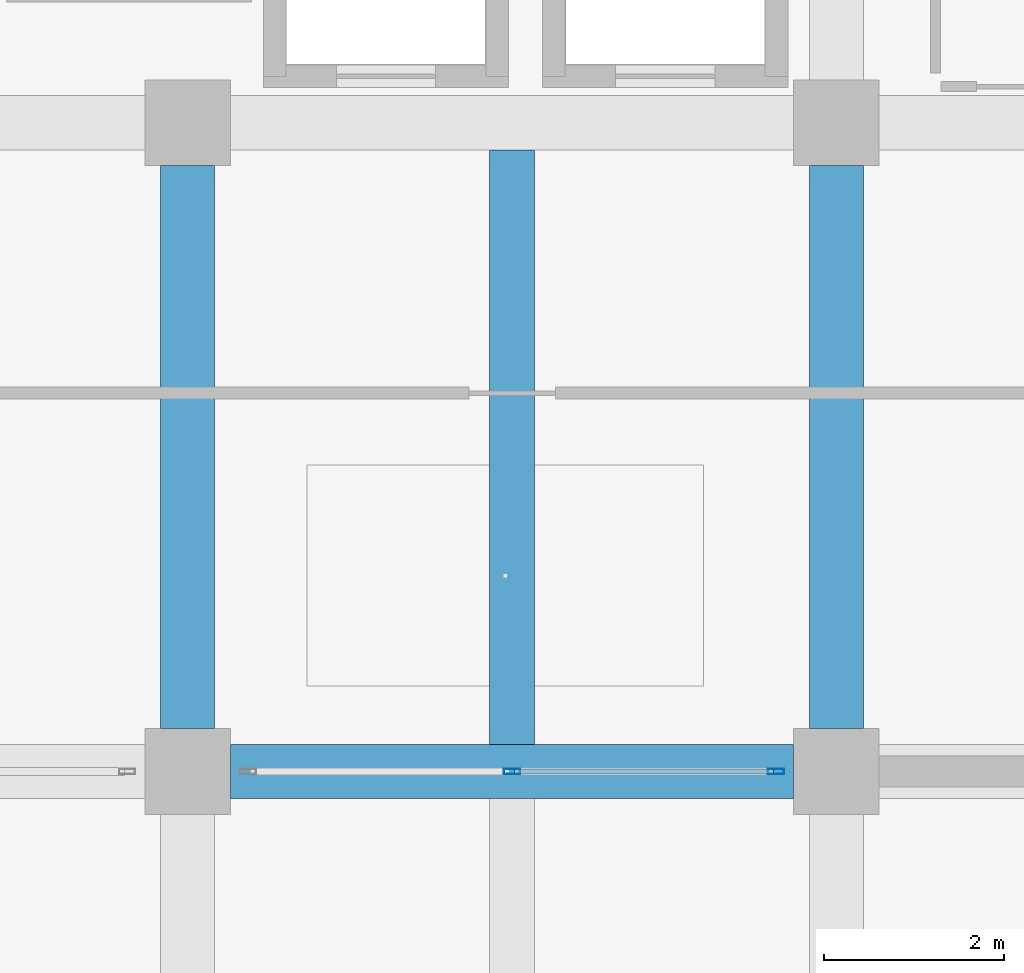
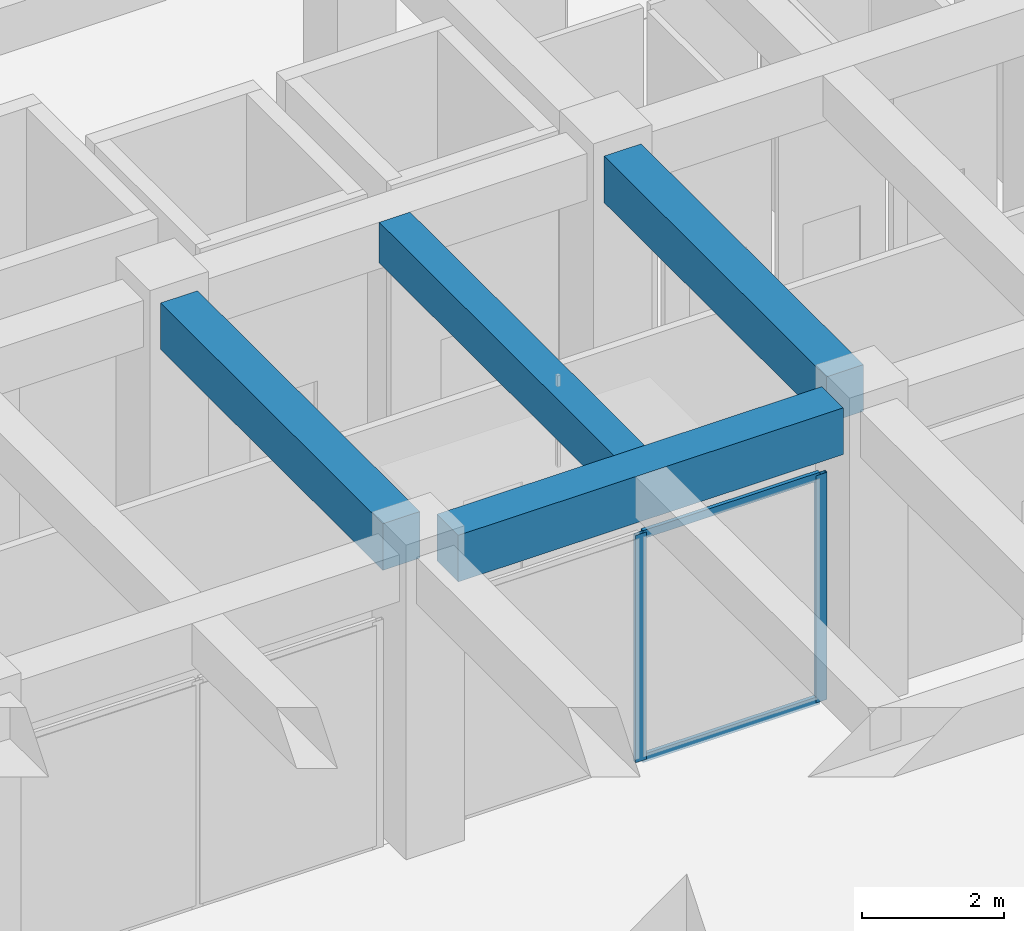
# One storey, part 10 of 56: 4 beams, 4 members, 1 element without a shape of its own.
"""IFC4 building model written with IfcOpenShell, lengths in metres."""

from ifc_helpers import new_model, si_unit, direction, frame, origin, origin_2d, place, context, subcontext, project, spatial, rectangle, hollow_rectangle, extrude, material, material_profile, profile_set, type_object, element, aggregate, save


model = new_model("IFC4")

# Units and contexts
model_context = context("Model", 3, precision=1e-05, world=origin(), true_north=direction((0.0, 1.0)))
body_context = subcontext(model_context, "Body", "Model", "MODEL_VIEW")
ifc_project = project(units=[si_unit("LENGTHUNIT", "METRE"), si_unit("AREAUNIT", "SQUARE_METRE"), si_unit("VOLUMEUNIT", "CUBIC_METRE"), si_unit("PLANEANGLEUNIT", "RADIAN"), si_unit("MASSUNIT", "GRAM", prefix="KILO")], contexts=[model_context])

# Site, building, storey
site_placement = place(None, origin())
site = spatial("IfcSite", under=ifc_project, at=site_placement, CompositionType="ELEMENT")
building_placement = place(site_placement, origin())
building = spatial("IfcBuilding", under=site, at=building_placement, Name="Kazehaya Institute of Natural Sciences", CompositionType="ELEMENT")
storey_placement = place(building_placement, origin())
storey = spatial("IfcBuildingStorey", under=building, at=storey_placement, Name="L00", CompositionType="ELEMENT", Elevation=0.0)

# Beams
ifc_material_1 = material(Name="Concrete Fc36", Category="concrete")
ifc_material_profile_1 = material_profile(ifc_material_1, rectangle(XDim=0.60009765625, YDim=0.800048828125, at=origin_2d()), Name="RC-600x800")
ifc_profile_set_1 = profile_set([ifc_material_profile_1], Name="Concrete Fc36")
beam_type_1 = type_object("IfcBeamType", Name="BM-G-600x800", PredefinedType="BEAM", material=ifc_profile_set_1)
for number, where, z_axis, x_axis, name in (
    (1, (76.675048828125, 14.0, 4.72998046875), (1.0, 0.0, 0.0), (0.0, 1.0, 0.0), "L00 primary X girder BMX-L00-762-140"),
    (2, (76.199951171875, 14.47509765625, 4.72998046875), (0.0, 1.0, 0.0), (-1.0, 0.0, 0.0), "L00 primary Y girder BMY-L00-762-140"),
    (3, (83.39990234375, 14.47509765625, 4.72998046875), (0.0, 1.0, 0.0), (-1.0, 0.0, 0.0), "L00 primary Y girder BMY-L00-834-140"),
):
    element("IfcBeam", number, at=place(storey_placement, frame(where, z_axis=z_axis, x_axis=x_axis)), inside=storey, type_object=beam_type_1, Name=name, PredefinedType="BEAM", context=body_context, shape_type="SweptSolid", body=[
        extrude(rectangle(XDim=0.60009765625, YDim=0.800048828125, at=origin_2d()), origin(), (0.0, 0.0, 1.0), 6.25),
    ])
ifc_material_profile_2 = material_profile(ifc_material_1, rectangle(XDim=0.5, YDim=0.699951171875, at=origin_2d()), Name="RC-500x700")
ifc_profile_set_2 = profile_set([ifc_material_profile_2], Name="Concrete Fc36")
beam_type_2 = type_object("IfcBeamType", Name="BM-J-500x700", PredefinedType="JOIST", material=ifc_profile_set_2)
beam_placement = place(storey_placement, frame((79.800048828125, 14.300048828125, 4.780029296875), z_axis=(0.0, 1.0, 0.0), x_axis=(-1.0, 0.0, 0.0)))
element("IfcBeam", 4, at=beam_placement, inside=storey, type_object=beam_type_2, Name="L00 secondary lab beam JST-L00-0014", PredefinedType="JOIST", context=body_context, shape_type="SweptSolid", body=[
    extrude(rectangle(XDim=0.5, YDim=0.699951171875, at=origin_2d()), origin(), (0.0, 0.0, 1.0), 6.599853515625),
])

# Curtain wall, members
ifc_material_2 = material(Name="Aluminium alloy A6063S-T5", Category="aluminium")
curtain_wall_type = type_object("IfcCurtainWallType", Name="CW-SYS-01", PredefinedType="NOTDEFINED", material=ifc_material_2)
curtain_wall_placement = place(storey_placement, origin())
curtain_wall = element("IfcCurtainWall", 5, at=curtain_wall_placement, inside=storey, type_object=curtain_wall_type, Name="L00 unitised curtain wall CW-L00-004", PredefinedType="NOTDEFINED")
ifc_material_profile_3 = material_profile(ifc_material_2, hollow_rectangle(XDim=0.06005859375, YDim=0.179931640625, WallThickness=0.00390625, at=origin_2d()), Name="ALU-60x180x4")
ifc_profile_set_3 = profile_set([ifc_material_profile_3], Name="Aluminium alloy A6063S-T5")
member_type_1 = type_object("IfcMemberType", Name="CWM-180", PredefinedType="MULLION", material=ifc_profile_set_3)
member_1_placement = place(storey_placement, frame((82.72998046875, 14.0, 0.0), z_axis=(0.0, 0.0, 1.0), x_axis=(0.0, -1.0, 0.0)))
member_1 = element("IfcMember", 6, at=member_1_placement, type_object=member_type_1, Name="CW01 mullion 1", PredefinedType="MULLION", context=body_context, shape_type="SweptSolid", body=[
    extrude(hollow_rectangle(XDim=0.06005859375, YDim=0.179931640625, WallThickness=0.00390625, at=origin_2d()), origin(), (0.0, 0.0, 1.0), 3.89990234375),
])
member_2_placement = place(storey_placement, frame((79.800048828125, 14.0, 0.0), z_axis=(0.0, 0.0, 1.0), x_axis=(0.0, -1.0, 0.0)))
member_2 = element("IfcMember", 7, at=member_2_placement, type_object=member_type_1, Name="CW01 mullion 2", PredefinedType="MULLION", context=body_context, shape_type="SweptSolid", body=[
    extrude(hollow_rectangle(XDim=0.06005859375, YDim=0.179931640625, WallThickness=0.00390625, at=origin_2d()), origin(), (0.0, 0.0, 1.0), 3.89990234375),
])
ifc_material_profile_4 = material_profile(ifc_material_2, hollow_rectangle(XDim=0.06005859375, YDim=0.139892578125, WallThickness=0.00341796875, at=origin_2d()), Name="ALU-60x140x3.5")
ifc_profile_set_4 = profile_set([ifc_material_profile_4], Name="Aluminium alloy A6063S-T5")
member_type_2 = type_object("IfcMemberType", Name="CWT-140", PredefinedType="USERDEFINED", material=ifc_profile_set_4)
member_3_placement = place(storey_placement, frame((82.699951171875, 14.0, 0.030029296875), z_axis=(-1.0, 0.0, 0.0), x_axis=(0.0, -1.0, 0.0)))
member_3 = element("IfcMember", 8, at=member_3_placement, type_object=member_type_2, Name="CW01 transom 1.1", ObjectType="TRANSOM", PredefinedType="USERDEFINED", context=body_context, shape_type="SweptSolid", body=[
    extrude(hollow_rectangle(XDim=0.06005859375, YDim=0.139892578125, WallThickness=0.00341796875, at=origin_2d()), origin(), (0.0, 0.0, 1.0), 2.869873046875),
])
member_4_placement = place(storey_placement, frame((82.699951171875, 14.0, 3.8701171875), z_axis=(-1.0, 0.0, 0.0), x_axis=(0.0, -1.0, 0.0)))
member_4 = element("IfcMember", 9, at=member_4_placement, type_object=member_type_2, Name="CW01 transom 1.2", ObjectType="TRANSOM", PredefinedType="USERDEFINED", context=body_context, shape_type="SweptSolid", body=[
    extrude(hollow_rectangle(XDim=0.06005859375, YDim=0.139892578125, WallThickness=0.00341796875, at=origin_2d()), origin(), (0.0, 0.0, 1.0), 2.869873046875),
])
aggregate(curtain_wall, [member_1, member_2, member_3, member_4])

save(model, "model.ifc")
